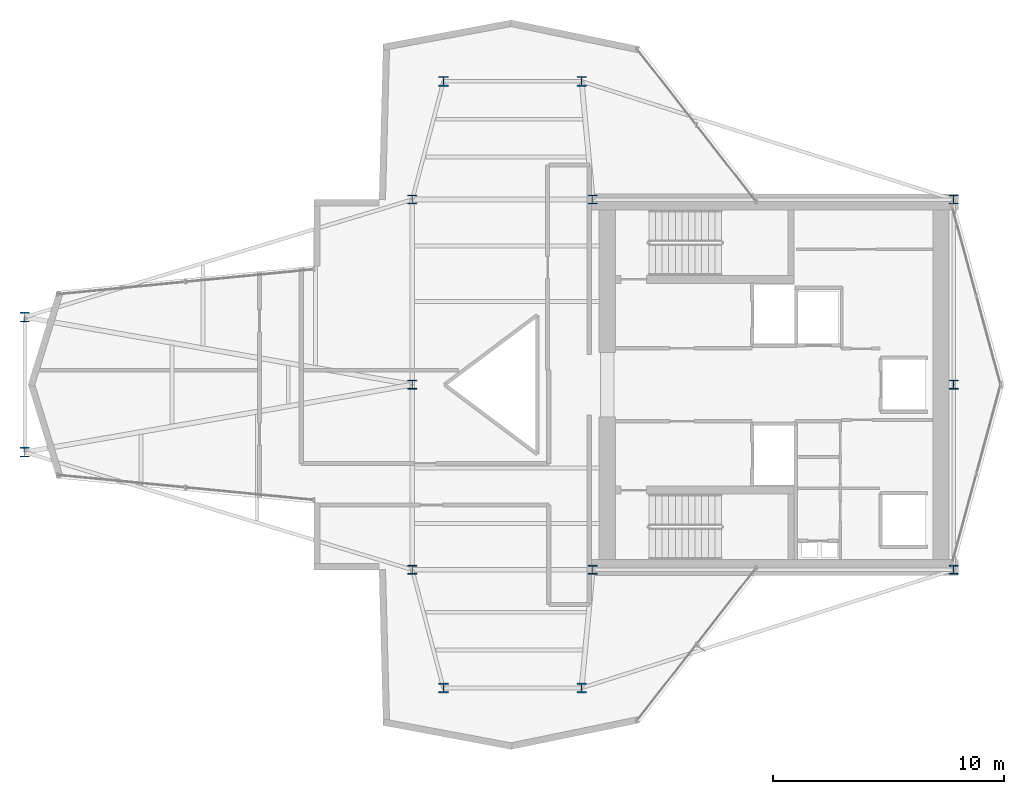
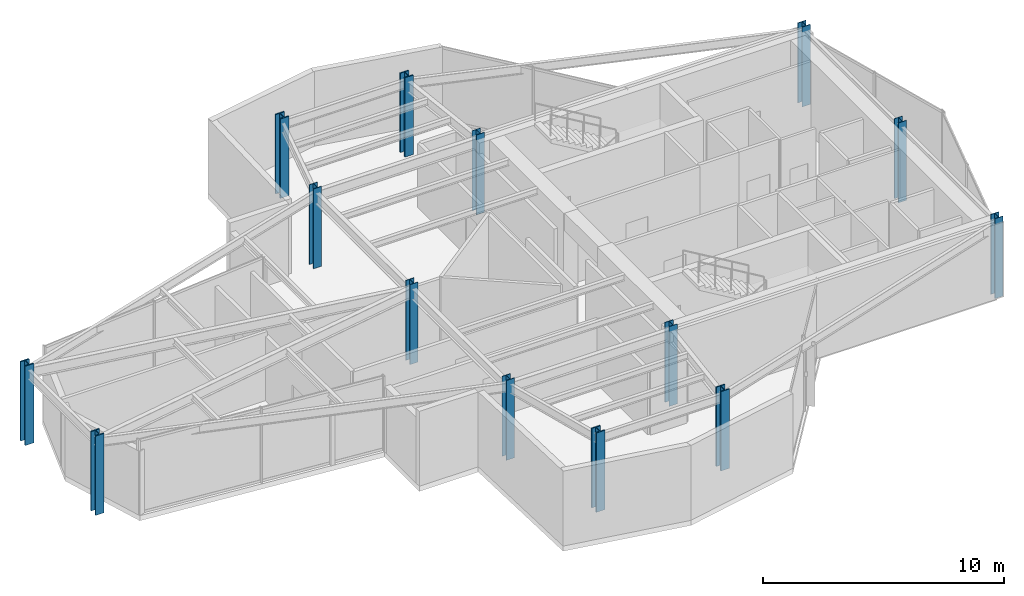
# One storey, part 1 of 21: 14 columns.
"""IFC4 building model written with IfcOpenShell, lengths in metres."""

from ifc_helpers import new_model, si_unit, direction, frame, origin, origin_2d, place, context, subcontext, project, spatial, i_section, extrude, material, material_profile, profile_set, type_object, element, save


model = new_model("IFC4")

# Units and contexts
model_context = context("Model", 3, precision=1e-05, world=origin(), true_north=direction((0.0, 1.0)))
body_context = subcontext(model_context, "Body", "Model", "MODEL_VIEW")
ifc_project = project(units=[si_unit("LENGTHUNIT", "METRE"), si_unit("AREAUNIT", "SQUARE_METRE"), si_unit("VOLUMEUNIT", "CUBIC_METRE"), si_unit("PLANEANGLEUNIT", "RADIAN"), si_unit("MASSUNIT", "GRAM", prefix="KILO")], contexts=[model_context])

# Site, building, storey
site_placement = place(None, origin())
site = spatial("IfcSite", under=ifc_project, at=site_placement, CompositionType="ELEMENT")
building_placement = place(site_placement, origin())
building = spatial("IfcBuilding", under=site, at=building_placement, Name="Veymaron Broadcast Tower", CompositionType="ELEMENT")
storey_placement = place(building_placement, frame((0.0, 0.0, 244.5)))
storey = spatial("IfcBuildingStorey", under=building, at=storey_placement, Name="L57", CompositionType="ELEMENT", Elevation=244.5)

# Columns
ifc_material_1 = material(Name="Structural steel ASTM A992 Gr 50", Category="steel")
ifc_material_profile_1 = material_profile(ifc_material_1, i_section(OverallWidth=0.39404296875, OverallDepth=0.375, WebThickness=0.017333984375, FlangeThickness=0.027587890625, at=origin_2d()), Name="W360X216")
ifc_profile_set_1 = profile_set([ifc_material_profile_1], Name="Structural steel ASTM A992 Gr 50")
column_type_1 = type_object("IfcColumnType", Name="COL-HC3", PredefinedType="COLUMN", material=ifc_profile_set_1)
for number, where, z_axis, x_axis, name in (
    (1, (31.199951171875, 16.0, 0.0), (0.0, 0.0, 1.0), (1.0, 0.0, 0.0), "L57 structural hub and core column"),
    (2, (31.199951171875, 24.0, 0.0), (0.0, 0.0, 1.0), (1.0, 0.0, 0.0), "L57 structural hub and core column"),
    (3, (31.199951171875, 32.0, 0.0), (0.0, 0.0, 1.0), (1.0, 0.0, 0.0), "L57 structural hub and core column"),
    (4, (39.0, 16.0, 0.0), (0.0, 0.0, 1.0), (1.0, 0.0, 0.0), "L57 structural hub and core column"),
    (5, (39.0, 32.0, 0.0), (0.0, 0.0, 1.0), (1.0, 0.0, 0.0), "L57 structural hub and core column"),
    (6, (54.60009765625, 16.0, 0.0), (0.0, 0.0, 1.0), (1.0, 0.0, 0.0), "L57 structural hub and core column"),
    (7, (54.60009765625, 24.0, 0.0), (0.0, 0.0, 1.0), (1.0, 0.0, 0.0), "L57 structural hub and core column"),
    (8, (54.60009765625, 32.0, 0.0), (0.0, 0.0, 1.0), (1.0, 0.0, 0.0), "L57 structural hub and core column"),
):
    element("IfcColumn", number, at=place(storey_placement, frame(where, z_axis=z_axis, x_axis=x_axis)), inside=storey, type_object=column_type_1, Name=name, PredefinedType="COLUMN", context=body_context, shape_type="SweptSolid", body=[
        extrude(i_section(OverallWidth=0.39404296875, OverallDepth=0.375, WebThickness=0.017333984375, FlangeThickness=0.027587890625, at=origin_2d()), origin(), (0.0, 0.0, 1.0), 4.0439453125),
    ])
ifc_material_2 = material(Name="Structural steel ASTM A913 Gr 65", Category="steel")
ifc_material_profile_2 = material_profile(ifc_material_2, i_section(OverallWidth=0.412109375, OverallDepth=0.43505859375, WebThickness=0.035888671875, FlangeThickness=0.05810546875, at=origin_2d()), Name="W360X463")
ifc_profile_set_2 = profile_set([ifc_material_profile_2], Name="Structural steel ASTM A913 Gr 65")
column_type_2 = type_object("IfcColumnType", Name="COL-MC3", PredefinedType="COLUMN", material=ifc_profile_set_2)
for number, where, z_axis, x_axis, name in (
    (9, (14.45166015625, 21.08203125, 0.01611328125), (0.0, 0.0, 1.0), (1.0, 0.0, 0.0), "L57 Tapered Wing Mega Column"),
    (10, (14.45166015625, 26.91796875, 0.01611328125), (0.0, 0.0, 1.0), (1.0, 0.0, 0.0), "L57 Tapered Wing Mega Column"),
    (11, (32.549560546875, 37.10791015625, 0.01611328125), (0.0, 0.0, 1.0), (1.0, 0.0, 0.0), "L57 Tapered Wing Mega Column"),
    (12, (38.51806640625, 37.10791015625, 0.01611328125), (0.0, 0.0, 1.0), (1.0, 0.0, 0.0), "L57 Tapered Wing Mega Column"),
    (13, (32.549560546875, 10.89208984375, 0.01611328125), (0.0, 0.0, 1.0), (1.0, 0.0, 0.0), "L57 Tapered Wing Mega Column"),
    (14, (38.51806640625, 10.89208984375, 0.01611328125), (0.0, 0.0, 1.0), (1.0, 0.0, 0.0), "L57 Tapered Wing Mega Column"),
):
    element("IfcColumn", number, at=place(storey_placement, frame(where, z_axis=z_axis, x_axis=x_axis)), inside=storey, type_object=column_type_2, Name=name, PredefinedType="COLUMN", context=body_context, shape_type="SweptSolid", body=[
        extrude(i_section(OverallWidth=0.412109375, OverallDepth=0.43505859375, WebThickness=0.035888671875, FlangeThickness=0.05810546875, at=origin_2d()), origin(), (0.0, 0.0, 1.0), 4.017822265625),
    ])

save(model, "model.ifc")
